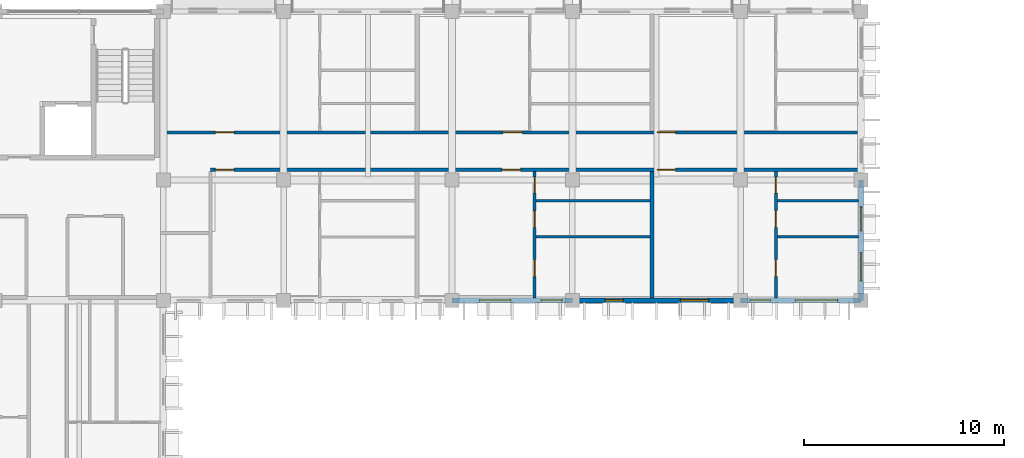
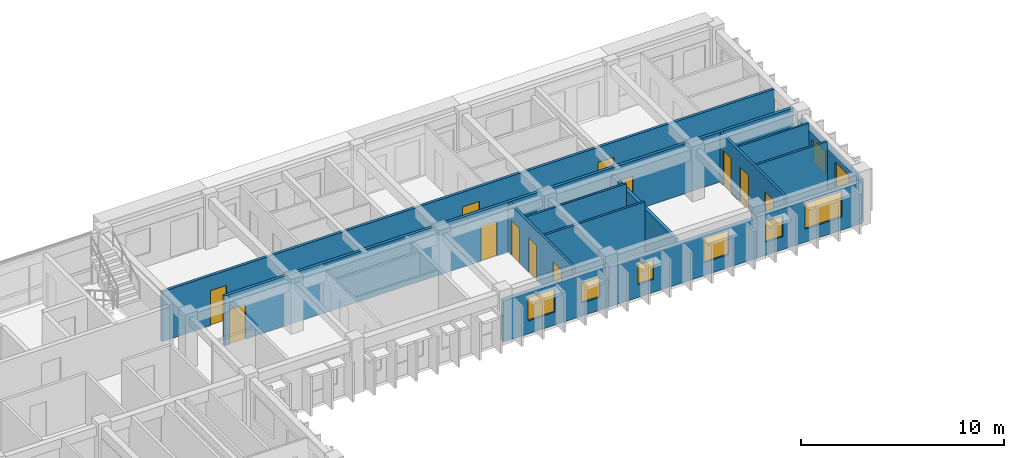
# One storey, part 52 of 101: 13 walls, 12 doors, 8 windows, 20 openings.
"""IFC4 building model written with IfcOpenShell, lengths in metres."""

from ifc_helpers import new_model, si_unit, direction, frame, frame_2d, origin, place, context, subcontext, project, spatial, rectangle, extrude, material, layer, layer_set, type_object, element, fill, save


model = new_model("IFC4")

# Units and contexts
model_context = context("Model", 3, precision=1e-05, world=origin(), true_north=direction((0.0, 1.0)))
body_context = subcontext(model_context, "Body", "Model", "MODEL_VIEW")
ifc_project = project(units=[si_unit("LENGTHUNIT", "METRE"), si_unit("AREAUNIT", "SQUARE_METRE"), si_unit("VOLUMEUNIT", "CUBIC_METRE"), si_unit("PLANEANGLEUNIT", "RADIAN"), si_unit("MASSUNIT", "GRAM", prefix="KILO"), si_unit("THERMODYNAMICTEMPERATUREUNIT", "KELVIN")], contexts=[model_context])

# Site, building, storey
site_placement = place(None, origin())
site = spatial("IfcSite", under=ifc_project, at=site_placement, CompositionType="ELEMENT")
building_placement = place(site_placement, origin())
building = spatial("IfcBuilding", under=site, at=building_placement, Name="Thalorik Housing Commons", CompositionType="ELEMENT")
storey_placement = place(building_placement, frame((0.0, 0.0, 8.10009765625)))
storey = spatial("IfcBuildingStorey", under=building, at=storey_placement, Name="L02", CompositionType="ELEMENT", Elevation=8.10009765625)

# Wall, openings, doors
ifc_material_1 = material(Name="Masonry fire-rated corridor wall", Category="masonry")
ifc_layer_1 = layer(ifc_material_1, 0.14990234375, Name="Masonry fire-rated corridor wall", Category="masonry")
ifc_layer_set_1 = layer_set([ifc_layer_1], Name="Masonry fire-rated corridor wall")
wall_type_1 = type_object("IfcWallType", Name="ARC-WAL-CORR-150", PredefinedType="PARTITIONING", material=ifc_layer_set_1)
wall_1_placement = place(storey_placement, frame((22.659912109375, 117.580078125, 0.0), z_axis=(0.0, 0.0, 1.0), x_axis=(1.0, 0.0, 0.0)))
wall_1 = element("IfcWall", 1, at=wall_1_placement, inside=storey, type_object=wall_type_1, Name="L02 Block A N Corridor Wall 2", PredefinedType="PARTITIONING", context=body_context, shape_type="SweptSolid", body=[
    extrude(rectangle(XDim=34.815673828125, YDim=0.14990234375, at=frame_2d((17.40771484375, 0.0))), origin(), (0.0, 0.0, 1.0), 3.0),
])
opening_1_placement = place(wall_1_placement, frame((2.739990234375, 0.0, 0.0)))
opening_1 = element("IfcOpeningElement", 2, at=opening_1_placement, cuts=wall_1, Name="Opening ID-0474", PredefinedType="OPENING", context=body_context, shape_type="SweptSolid", body=[
    extrude(rectangle(XDim=0.919921875, YDim=2.10009765625, at=frame_2d((0.4599609375, 1.050048828125))), frame((0.0, 0.0849609375, 0.0), z_axis=(0.0, -1.0, 0.0), x_axis=(1.0, 0.0, 0.0)), (0.0, 0.0, 1.0), 0.169921875),
])
opening_2_placement = place(wall_1_placement, frame((17.08544921875, 0.0, 0.0)))
opening_2 = element("IfcOpeningElement", 3, at=opening_2_placement, cuts=wall_1, Name="Opening ID-0475", PredefinedType="OPENING", context=body_context, shape_type="SweptSolid", body=[
    extrude(rectangle(XDim=0.9599609375, YDim=2.1201171875, at=frame_2d((0.47998046875, 1.06005859375))), frame((0.0, 0.0849609375, 0.0), z_axis=(0.0, -1.0, 0.0), x_axis=(1.0, 0.0, 0.0)), (0.0, 0.0, 1.0), 0.169921875),
])
opening_3_placement = place(wall_1_placement, frame((24.77001953125, 0.0, 0.0)))
opening_3 = element("IfcOpeningElement", 4, at=opening_3_placement, cuts=wall_1, Name="Opening ID-0476", PredefinedType="OPENING", context=body_context, shape_type="SweptSolid", body=[
    extrude(rectangle(XDim=0.919921875, YDim=2.10009765625, at=frame_2d((0.4599609375, 1.050048828125))), frame((0.0, 0.0849609375, 0.0), z_axis=(0.0, -1.0, 0.0), x_axis=(1.0, 0.0, 0.0)), (0.0, 0.0, 1.0), 0.169921875),
])
ifc_material_2 = material(Name="Solid core hardwood timber", Category="wood")
door_type_1 = type_object("IfcDoorType", Name="ARC-DR-FD30-920", OperationType="NOTDEFINED", PredefinedType="DOOR", material=ifc_material_2)
door_1_placement = place(opening_1_placement, origin())
door_1 = element("IfcDoor", 5, at=door_1_placement, inside=storey, type_object=door_type_1, Name="L02 Flat AN-1B Entrance Door", OperationType="SINGLE_SWING_LEFT", OverallHeight=2.10009765625, OverallWidth=0.919921875, PredefinedType="DOOR", context=body_context, shape_type="SweptSolid", body=[
    extrude(rectangle(XDim=0.919921875, YDim=2.10009765625, at=frame_2d((0.4599609375, 1.050048828125))), frame((0.0, 0.02490234375, 0.0), z_axis=(0.0, -1.0, 0.0), x_axis=(1.0, 0.0, 0.0)), (0.0, 0.0, 1.0), 0.050048828125),
])
fill(opening_1, door_1)
door_2_placement = place(opening_3_placement, origin())
door_2 = element("IfcDoor", 6, at=door_2_placement, inside=storey, type_object=door_type_1, Name="L02 Flat AN-3B Entrance Door", OperationType="SINGLE_SWING_LEFT", OverallHeight=2.10009765625, OverallWidth=0.919921875, PredefinedType="DOOR", context=body_context, shape_type="SweptSolid", body=[
    extrude(rectangle(XDim=0.919921875, YDim=2.10009765625, at=frame_2d((0.4599609375, 1.050048828125))), frame((0.0, 0.02490234375, 0.0), z_axis=(0.0, -1.0, 0.0), x_axis=(1.0, 0.0, 0.0)), (0.0, 0.0, 1.0), 0.050048828125),
])
fill(opening_3, door_2)
door_type_2 = type_object("IfcDoorType", Name="ARC-DR-FD30-960", OperationType="NOTDEFINED", PredefinedType="DOOR", material=ifc_material_2)
door_3_placement = place(opening_2_placement, origin())
door_3 = element("IfcDoor", 7, at=door_3_placement, inside=storey, type_object=door_type_2, Name="L02 Flat AN-2B Entrance Door", OperationType="SINGLE_SWING_RIGHT", OverallHeight=2.1201171875, OverallWidth=0.9599609375, PredefinedType="DOOR", context=body_context, shape_type="SweptSolid", body=[
    extrude(rectangle(XDim=0.9599609375, YDim=2.1201171875, at=frame_2d((0.47998046875, 1.06005859375))), frame((0.0, 0.02490234375, 0.0), z_axis=(0.0, -1.0, 0.0), x_axis=(1.0, 0.0, 0.0)), (0.0, 0.0, 1.0), 0.050048828125),
])
fill(opening_2, door_3)

ifc_layer_2 = layer(ifc_material_1, 0.1650390625, Name="Masonry fire-rated corridor wall", Category="masonry")
ifc_layer_set_2 = layer_set([ifc_layer_2], Name="Masonry fire-rated corridor wall")
wall_type_2 = type_object("IfcWallType", Name="ARC-WAL-CORR-165", PredefinedType="PARTITIONING", material=ifc_layer_set_2)
wall_2_placement = place(storey_placement, frame((25.14990234375, 115.719970703125, 0.0), z_axis=(0.0, 0.0, 1.0), x_axis=(1.0, 0.0, 0.0)))
wall_2 = element("IfcWall", 8, at=wall_2_placement, inside=storey, type_object=wall_type_2, Name="L02 Block A N Corridor Wall 1", PredefinedType="PARTITIONING", context=body_context, shape_type="SweptSolid", body=[
    extrude(rectangle(XDim=32.32568359375, YDim=0.1650390625, at=frame_2d((16.162841796875, 0.0))), origin(), (0.0, 0.0, 1.0), 3.0),
])
opening_4_placement = place(wall_2_placement, frame((0.25, 0.0, 0.0)))
opening_4 = element("IfcOpeningElement", 9, at=opening_4_placement, cuts=wall_2, Name="Opening ID-0471", PredefinedType="OPENING", context=body_context, shape_type="SweptSolid", body=[
    extrude(rectangle(XDim=0.919921875, YDim=2.10009765625, at=frame_2d((0.4599609375, 1.050048828125))), frame((0.0, 0.092529296875, 0.0), z_axis=(0.0, -1.0, 0.0), x_axis=(1.0, 0.0, 0.0)), (0.0, 0.0, 1.0), 0.18505859375),
])
opening_5_placement = place(wall_2_placement, frame((14.547607421875, 0.0, 0.0)))
opening_5 = element("IfcOpeningElement", 10, at=opening_5_placement, cuts=wall_2, Name="Opening ID-0472", PredefinedType="OPENING", context=body_context, shape_type="SweptSolid", body=[
    extrude(rectangle(XDim=0.919921875, YDim=2.10009765625, at=frame_2d((0.4599609375, 1.050048828125))), frame((0.0, 0.092529296875, 0.0), z_axis=(0.0, -1.0, 0.0), x_axis=(1.0, 0.0, 0.0)), (0.0, 0.0, 1.0), 0.18505859375),
])
opening_6_placement = place(wall_2_placement, frame((22.280029296875, 0.0, 0.0)))
opening_6 = element("IfcOpeningElement", 11, at=opening_6_placement, cuts=wall_2, Name="Opening ID-0473", PredefinedType="OPENING", context=body_context, shape_type="SweptSolid", body=[
    extrude(rectangle(XDim=0.919921875, YDim=2.10009765625, at=frame_2d((0.4599609375, 1.050048828125))), frame((0.0, 0.092529296875, 0.0), z_axis=(0.0, -1.0, 0.0), x_axis=(1.0, 0.0, 0.0)), (0.0, 0.0, 1.0), 0.18505859375),
])
door_4_placement = place(opening_4_placement, origin())
door_4 = element("IfcDoor", 12, at=door_4_placement, inside=storey, type_object=door_type_1, Name="L02 Flat AN-1A Entrance Door", OperationType="SINGLE_SWING_RIGHT", OverallHeight=2.10009765625, OverallWidth=0.919921875, PredefinedType="DOOR", context=body_context, shape_type="SweptSolid", body=[
    extrude(rectangle(XDim=0.919921875, YDim=2.10009765625, at=frame_2d((0.4599609375, 1.050048828125))), frame((0.0, 0.02490234375, 0.0), z_axis=(0.0, -1.0, 0.0), x_axis=(1.0, 0.0, 0.0)), (0.0, 0.0, 1.0), 0.050048828125),
])
fill(opening_4, door_4)
door_5_placement = place(opening_5_placement, origin())
door_5 = element("IfcDoor", 13, at=door_5_placement, inside=storey, type_object=door_type_1, Name="L02 Flat AN-2A Entrance Door", OperationType="SINGLE_SWING_LEFT", OverallHeight=2.10009765625, OverallWidth=0.919921875, PredefinedType="DOOR", context=body_context, shape_type="SweptSolid", body=[
    extrude(rectangle(XDim=0.919921875, YDim=2.10009765625, at=frame_2d((0.4599609375, 1.050048828125))), frame((0.0, 0.02490234375, 0.0), z_axis=(0.0, -1.0, 0.0), x_axis=(1.0, 0.0, 0.0)), (0.0, 0.0, 1.0), 0.050048828125),
])
fill(opening_5, door_5)
door_6_placement = place(opening_6_placement, origin())
door_6 = element("IfcDoor", 14, at=door_6_placement, inside=storey, type_object=door_type_1, Name="L02 Flat AN-3A Entrance Door", OperationType="SINGLE_SWING_RIGHT", OverallHeight=2.10009765625, OverallWidth=0.919921875, PredefinedType="DOOR", context=body_context, shape_type="SweptSolid", body=[
    extrude(rectangle(XDim=0.919921875, YDim=2.10009765625, at=frame_2d((0.4599609375, 1.050048828125))), frame((0.0, 0.02490234375, 0.0), z_axis=(0.0, -1.0, 0.0), x_axis=(1.0, 0.0, 0.0)), (0.0, 0.0, 1.0), 0.050048828125),
])
fill(opening_6, door_6)

# Wall, openings, windows
ifc_material_3 = material(Name="White precast concrete C40/50", Category="concrete")
ifc_layer_3 = layer(ifc_material_3, 0.2451171875, Name="White precast concrete C40/50", Category="concrete")
ifc_layer_set_3 = layer_set([ifc_layer_3], Name="White precast concrete C40/50")
wall_type_3 = type_object("IfcWallType", Name="ARC-WAL-EXT-245", PredefinedType="STANDARD", material=ifc_layer_set_3)
wall_3_placement = place(storey_placement, frame((37.199951171875, 109.199951171875, 0.0), z_axis=(0.0, 0.0, 1.0), x_axis=(1.0, 0.0, 0.0)))
wall_3 = element("IfcWall", 15, at=wall_3_placement, inside=storey, type_object=wall_type_3, Name="L02 Exterior Wall WAL-EXT-L02-A-0059", PredefinedType="STANDARD", context=body_context, shape_type="SweptSolid", body=[
    extrude(rectangle(XDim=6.0, YDim=0.2451171875, at=frame_2d((3.0, 0.0))), origin(), (0.0, 0.0, 1.0), 2.474853515625),
])
opening_7_placement = place(wall_3_placement, frame((1.3798828125, 0.0, 0.780029296875)))
opening_7 = element("IfcOpeningElement", 16, at=opening_7_placement, cuts=wall_3, Name="Opening W-12", PredefinedType="OPENING", context=body_context, shape_type="SweptSolid", body=[
    extrude(rectangle(XDim=1.550048828125, YDim=1.39990234375, at=frame_2d((0.77490234375, 0.699951171875))), frame((0.0, 0.132568359375, 0.0), z_axis=(0.0, -1.0, 0.0), x_axis=(1.0, 0.0, 0.0)), (0.0, 0.0, 1.0), 0.26513671875),
])
opening_8_placement = place(wall_3_placement, frame((4.43994140625, 0.0, 0.780029296875)))
opening_8 = element("IfcOpeningElement", 17, at=opening_8_placement, cuts=wall_3, Name="Opening W-44", PredefinedType="OPENING", context=body_context, shape_type="SweptSolid", body=[
    extrude(rectangle(XDim=1.050048828125, YDim=1.199951171875, at=frame_2d((0.52490234375, 0.60009765625))), frame((0.0, 0.132568359375, 0.0), z_axis=(0.0, -1.0, 0.0), x_axis=(1.0, 0.0, 0.0)), (0.0, 0.0, 1.0), 0.26513671875),
])
ifc_material_4 = material(Name="Anodised aluminium and solar-control low-E glass", Category="aluminium")
window_type_1 = type_object("IfcWindowType", Name="ARC-WIN-12", PartitioningType="SINGLE_PANEL", PredefinedType="WINDOW", material=ifc_material_4)
window_1_placement = place(opening_7_placement, origin())
window_1 = element("IfcWindow", 18, at=window_1_placement, inside=storey, type_object=window_type_1, Name="L02 Facade Window 101", OverallHeight=1.39990234375, OverallWidth=1.550048828125, PartitioningType="SINGLE_PANEL", PredefinedType="WINDOW", context=body_context, shape_type="SweptSolid", body=[
    extrude(rectangle(XDim=1.550048828125, YDim=1.39990234375, at=frame_2d((0.77490234375, 0.699951171875))), frame((0.0, 0.030029296875, 0.0), z_axis=(0.0, -1.0, 0.0), x_axis=(1.0, 0.0, 0.0)), (0.0, 0.0, 1.0), 0.06005859375),
])
fill(opening_7, window_1)
window_type_2 = type_object("IfcWindowType", Name="ARC-WIN-44", PartitioningType="SINGLE_PANEL", PredefinedType="WINDOW", material=ifc_material_4)
window_2_placement = place(opening_8_placement, origin())
window_2 = element("IfcWindow", 19, at=window_2_placement, inside=storey, type_object=window_type_2, Name="L02 Facade Window 102", OverallHeight=1.199951171875, OverallWidth=1.050048828125, PartitioningType="SINGLE_PANEL", PredefinedType="WINDOW", context=body_context, shape_type="SweptSolid", body=[
    extrude(rectangle(XDim=1.050048828125, YDim=1.199951171875, at=frame_2d((0.52490234375, 0.60009765625))), frame((0.0, 0.030029296875, 0.0), z_axis=(0.0, -1.0, 0.0), x_axis=(1.0, 0.0, 0.0)), (0.0, 0.0, 1.0), 0.06005859375),
])
fill(opening_8, window_2)

wall_4_placement = place(storey_placement, frame((43.199951171875, 109.199951171875, 0.0), z_axis=(0.0, 0.0, 1.0), x_axis=(1.0, 0.0, 0.0)))
wall_4 = element("IfcWall", 20, at=wall_4_placement, inside=storey, type_object=wall_type_3, Name="L02 Exterior Wall WAL-EXT-L02-A-0060", PredefinedType="STANDARD", context=body_context, shape_type="SweptSolid", body=[
    extrude(rectangle(XDim=8.400146484375, YDim=0.2451171875, at=frame_2d((4.2001953125, 0.0))), origin(), (0.0, 0.0, 1.0), 2.375),
])
opening_9_placement = place(wall_4_placement, frame((1.635009765625, 0.0, 0.780029296875)))
opening_9 = element("IfcOpeningElement", 21, at=opening_9_placement, cuts=wall_4, Name="Opening W-01", PredefinedType="OPENING", context=body_context, shape_type="SweptSolid", body=[
    extrude(rectangle(XDim=0.89990234375, YDim=1.199951171875, at=frame_2d((0.449951171875, 0.60009765625))), frame((0.0, 0.132568359375, 0.0), z_axis=(0.0, -1.0, 0.0), x_axis=(1.0, 0.0, 0.0)), (0.0, 0.0, 1.0), 0.26513671875),
])
opening_10_placement = place(wall_4_placement, frame((5.39501953125, 0.0, 0.780029296875)))
opening_10 = element("IfcOpeningElement", 22, at=opening_10_placement, cuts=wall_4, Name="Opening W-08", PredefinedType="OPENING", context=body_context, shape_type="SweptSolid", body=[
    extrude(rectangle(XDim=1.39990234375, YDim=1.449951171875, at=frame_2d((0.699951171875, 0.72509765625))), frame((0.0, 0.132568359375, 0.0), z_axis=(0.0, -1.0, 0.0), x_axis=(1.0, 0.0, 0.0)), (0.0, 0.0, 1.0), 0.26513671875),
])
window_type_3 = type_object("IfcWindowType", Name="ARC-WIN-01", PartitioningType="SINGLE_PANEL", PredefinedType="WINDOW", material=ifc_material_4)
window_3_placement = place(opening_9_placement, origin())
window_3 = element("IfcWindow", 23, at=window_3_placement, inside=storey, type_object=window_type_3, Name="L02 Facade Window 103", OverallHeight=1.199951171875, OverallWidth=0.89990234375, PartitioningType="SINGLE_PANEL", PredefinedType="WINDOW", context=body_context, shape_type="SweptSolid", body=[
    extrude(rectangle(XDim=0.89990234375, YDim=1.199951171875, at=frame_2d((0.449951171875, 0.60009765625))), frame((0.0, 0.030029296875, 0.0), z_axis=(0.0, -1.0, 0.0), x_axis=(1.0, 0.0, 0.0)), (0.0, 0.0, 1.0), 0.06005859375),
])
fill(opening_9, window_3)
window_type_4 = type_object("IfcWindowType", Name="ARC-WIN-08", PartitioningType="SINGLE_PANEL", PredefinedType="WINDOW", material=ifc_material_4)
window_4_placement = place(opening_10_placement, origin())
window_4 = element("IfcWindow", 24, at=window_4_placement, inside=storey, type_object=window_type_4, Name="L02 Facade Window 104", OverallHeight=1.449951171875, OverallWidth=1.39990234375, PartitioningType="SINGLE_PANEL", PredefinedType="WINDOW", context=body_context, shape_type="SweptSolid", body=[
    extrude(rectangle(XDim=1.39990234375, YDim=1.449951171875, at=frame_2d((0.699951171875, 0.72509765625))), frame((0.0, 0.030029296875, 0.0), z_axis=(0.0, -1.0, 0.0), x_axis=(1.0, 0.0, 0.0)), (0.0, 0.0, 1.0), 0.06005859375),
])
fill(opening_10, window_4)

wall_5_placement = place(storey_placement, frame((51.60009765625, 109.199951171875, 0.0), z_axis=(0.0, 0.0, 1.0), x_axis=(1.0, 0.0, 0.0)))
wall_5 = element("IfcWall", 25, at=wall_5_placement, inside=storey, type_object=wall_type_3, Name="L02 Exterior Wall WAL-EXT-L02-A-0061", PredefinedType="STANDARD", context=body_context, shape_type="SweptSolid", body=[
    extrude(rectangle(XDim=6.0, YDim=0.2451171875, at=frame_2d((3.0, 0.0))), origin(), (0.0, 0.0, 1.0), 2.474853515625),
])
opening_11_placement = place(wall_5_placement, frame((0.47509765625, 0.0, 0.780029296875)))
opening_11 = element("IfcOpeningElement", 26, at=opening_11_placement, cuts=wall_5, Name="Opening W-02", PredefinedType="OPENING", context=body_context, shape_type="SweptSolid", body=[
    extrude(rectangle(XDim=1.0, YDim=1.25, at=frame_2d((0.5, 0.625))), frame((0.0, 0.132568359375, 0.0), z_axis=(0.0, -1.0, 0.0), x_axis=(1.0, 0.0, 0.0)), (0.0, 0.0, 1.0), 0.26513671875),
])
opening_12_placement = place(wall_5_placement, frame((2.735107421875, 0.0, 0.780029296875)))
opening_12 = element("IfcOpeningElement", 27, at=opening_12_placement, cuts=wall_5, Name="Opening W-26", PredefinedType="OPENING", context=body_context, shape_type="SweptSolid", body=[
    extrude(rectangle(XDim=2.10009765625, YDim=1.550048828125, at=frame_2d((1.050048828125, 0.77490234375))), frame((0.0, 0.132568359375, 0.0), z_axis=(0.0, -1.0, 0.0), x_axis=(1.0, 0.0, 0.0)), (0.0, 0.0, 1.0), 0.26513671875),
])
window_type_5 = type_object("IfcWindowType", Name="ARC-WIN-02", PartitioningType="SINGLE_PANEL", PredefinedType="WINDOW", material=ifc_material_4)
window_5_placement = place(opening_11_placement, origin())
window_5 = element("IfcWindow", 28, at=window_5_placement, inside=storey, type_object=window_type_5, Name="L02 Facade Window 105", OverallHeight=1.25, OverallWidth=1.0, PartitioningType="SINGLE_PANEL", PredefinedType="WINDOW", context=body_context, shape_type="SweptSolid", body=[
    extrude(rectangle(XDim=1.0, YDim=1.25, at=frame_2d((0.5, 0.625))), frame((0.0, 0.030029296875, 0.0), z_axis=(0.0, -1.0, 0.0), x_axis=(1.0, 0.0, 0.0)), (0.0, 0.0, 1.0), 0.06005859375),
])
fill(opening_11, window_5)
window_type_6 = type_object("IfcWindowType", Name="ARC-WIN-26", PartitioningType="DOUBLE_PANEL_VERTICAL", PredefinedType="WINDOW", material=ifc_material_4)
window_6_placement = place(opening_12_placement, origin())
window_6 = element("IfcWindow", 29, at=window_6_placement, inside=storey, type_object=window_type_6, Name="L02 Facade Window 106", OverallHeight=1.550048828125, OverallWidth=2.10009765625, PartitioningType="DOUBLE_PANEL_VERTICAL", PredefinedType="WINDOW", context=body_context, shape_type="SweptSolid", body=[
    extrude(rectangle(XDim=2.10009765625, YDim=1.550048828125, at=frame_2d((1.050048828125, 0.77490234375))), frame((0.0, 0.030029296875, 0.0), z_axis=(0.0, -1.0, 0.0), x_axis=(1.0, 0.0, 0.0)), (0.0, 0.0, 1.0), 0.06005859375),
])
fill(opening_12, window_6)

wall_6_placement = place(storey_placement, frame((57.60009765625, 109.199951171875, 0.0), z_axis=(0.0, 0.0, 1.0), x_axis=(0.0, 1.0, 0.0)))
wall_6 = element("IfcWall", 30, at=wall_6_placement, inside=storey, type_object=wall_type_3, Name="L02 Exterior Wall WAL-EXT-L02-A-0062", PredefinedType="STANDARD", context=body_context, shape_type="SweptSolid", body=[
    extrude(rectangle(XDim=6.0, YDim=0.2451171875, at=frame_2d((3.0, 0.0))), origin(), (0.0, 0.0, 1.0), 2.574951171875),
])
opening_13_placement = place(wall_6_placement, frame((0.975341796875, 0.0, 0.780029296875)))
opening_13 = element("IfcOpeningElement", 31, at=opening_13_placement, cuts=wall_6, Name="Opening W-08", PredefinedType="OPENING", context=body_context, shape_type="SweptSolid", body=[
    extrude(rectangle(XDim=1.39990234375, YDim=1.449951171875, at=frame_2d((0.699951171875, 0.72509765625))), frame((0.0, 0.132568359375, 0.0), z_axis=(0.0, -1.0, 0.0), x_axis=(1.0, 0.0, 0.0)), (0.0, 0.0, 1.0), 0.26513671875),
])
opening_14_placement = place(wall_6_placement, frame((3.465087890625, 0.0, 0.780029296875)))
opening_14 = element("IfcOpeningElement", 32, at=opening_14_placement, cuts=wall_6, Name="Opening W-04", PredefinedType="OPENING", context=body_context, shape_type="SweptSolid", body=[
    extrude(rectangle(XDim=1.199951171875, YDim=1.35009765625, at=frame_2d((0.60009765625, 0.675048828125))), frame((0.0, 0.132568359375, 0.0), z_axis=(0.0, -1.0, 0.0), x_axis=(1.0, 0.0, 0.0)), (0.0, 0.0, 1.0), 0.26513671875),
])
window_type_7 = type_object("IfcWindowType", Name="ARC-WIN-04", PartitioningType="SINGLE_PANEL", PredefinedType="WINDOW", material=ifc_material_4)
window_7_placement = place(opening_14_placement, origin())
window_7 = element("IfcWindow", 33, at=window_7_placement, inside=storey, type_object=window_type_7, Name="L02 Facade Window 108", OverallHeight=1.35009765625, OverallWidth=1.199951171875, PartitioningType="SINGLE_PANEL", PredefinedType="WINDOW", context=body_context, shape_type="SweptSolid", body=[
    extrude(rectangle(XDim=1.199951171875, YDim=1.35009765625, at=frame_2d((0.60009765625, 0.675048828125))), frame((0.0, 0.030029296875, 0.0), z_axis=(0.0, -1.0, 0.0), x_axis=(1.0, 0.0, 0.0)), (0.0, 0.0, 1.0), 0.06005859375),
])
fill(opening_14, window_7)
window_8_placement = place(opening_13_placement, origin())
window_8 = element("IfcWindow", 34, at=window_8_placement, inside=storey, type_object=window_type_4, Name="L02 Facade Window 107", OverallHeight=1.449951171875, OverallWidth=1.39990234375, PartitioningType="SINGLE_PANEL", PredefinedType="WINDOW", context=body_context, shape_type="SweptSolid", body=[
    extrude(rectangle(XDim=1.39990234375, YDim=1.449951171875, at=frame_2d((0.699951171875, 0.72509765625))), frame((0.0, 0.030029296875, 0.0), z_axis=(0.0, -1.0, 0.0), x_axis=(1.0, 0.0, 0.0)), (0.0, 0.0, 1.0), 0.06005859375),
])
fill(opening_13, window_8)

# Walls
ifc_material_5 = material(Name="Gypsum moisture-resistant partition", Category="masonry")
ifc_layer_4 = layer(ifc_material_5, 0.114990234375, Name="Gypsum moisture-resistant partition", Category="masonry")
ifc_layer_set_4 = layer_set([ifc_layer_4], Name="Gypsum moisture-resistant partition")
wall_type_4 = type_object("IfcWallType", Name="ARC-WAL-PART-115", PredefinedType="PARTITIONING", material=ifc_layer_set_4)
wall_7_placement = place(storey_placement, frame((41.39208984375, 114.169677734375, 0.0), z_axis=(0.0, 0.0, 1.0), x_axis=(1.0, 0.0, 0.0)))
element("IfcWall", 35, at=wall_7_placement, inside=storey, type_object=wall_type_4, Name="L02 Unit 2 Wet Wall", PredefinedType="PARTITIONING", context=body_context, shape_type="SweptSolid", body=[
    extrude(rectangle(XDim=5.693359375, YDim=0.114990234375, at=frame_2d((2.8466796875, 0.0))), origin(), (0.0, 0.0, 1.0), 3.0),
])
wall_8_placement = place(storey_placement, frame((53.431884765625, 114.169677734375, 0.0), z_axis=(0.0, 0.0, 1.0), x_axis=(1.0, 0.0, 0.0)))
element("IfcWall", 36, at=wall_8_placement, inside=storey, type_object=wall_type_4, Name="L02 Unit 3 Wet Wall", PredefinedType="PARTITIONING", context=body_context, shape_type="SweptSolid", body=[
    extrude(rectangle(XDim=4.043701171875, YDim=0.114990234375, at=frame_2d((2.02197265625, 0.0))), origin(), (0.0, 0.0, 1.0), 3.0),
])
ifc_material_6 = material(Name="Gypsum acoustic stud partition", Category="masonry")
ifc_layer_5 = layer(ifc_material_6, 0.125, Name="Gypsum acoustic stud partition", Category="masonry")
ifc_layer_set_5 = layer_set([ifc_layer_5], Name="Gypsum acoustic stud partition")
wall_type_5 = type_object("IfcWallType", Name="ARC-WAL-PART-125", PredefinedType="PARTITIONING", material=ifc_layer_set_5)
wall_9_placement = place(storey_placement, frame((41.39208984375, 112.36083984375, 0.0), z_axis=(0.0, 0.0, 1.0), x_axis=(1.0, 0.0, 0.0)))
element("IfcWall", 37, at=wall_9_placement, inside=storey, type_object=wall_type_5, Name="L02 Unit 2 Bedroom Partition", PredefinedType="PARTITIONING", context=body_context, shape_type="SweptSolid", body=[
    extrude(rectangle(XDim=5.693359375, YDim=0.125, at=frame_2d((2.8466796875, 0.0))), origin(), (0.0, 0.0, 1.0), 3.0),
])
wall_10_placement = place(storey_placement, frame((53.431884765625, 112.36083984375, 0.0), z_axis=(0.0, 0.0, 1.0), x_axis=(1.0, 0.0, 0.0)))
element("IfcWall", 38, at=wall_10_placement, inside=storey, type_object=wall_type_5, Name="L02 Unit 3 Bedroom Partition", PredefinedType="PARTITIONING", context=body_context, shape_type="SweptSolid", body=[
    extrude(rectangle(XDim=4.043701171875, YDim=0.125, at=frame_2d((2.02197265625, 0.0))), origin(), (0.0, 0.0, 1.0), 3.0),
])

# Wall, openings, doors
ifc_material_7 = material(Name="Ceramic masonry partition wall", Category="masonry")
ifc_layer_6 = layer(ifc_material_7, 0.139892578125, Name="Ceramic masonry partition wall", Category="masonry")
ifc_layer_set_6 = layer_set([ifc_layer_6], Name="Ceramic masonry partition wall")
wall_type_6 = type_object("IfcWallType", Name="ARC-WAL-PART-140", PredefinedType="PARTITIONING", material=ifc_layer_set_6)
wall_11_placement = place(storey_placement, frame((41.320068359375, 109.324462890625, 0.0), z_axis=(0.0, 0.0, 1.0), x_axis=(0.0, 1.0, 0.0)))
wall_11 = element("IfcWall", 39, at=wall_11_placement, inside=storey, type_object=wall_type_6, Name="L02 Unit 2 Spine Partition", PredefinedType="PARTITIONING", context=body_context, shape_type="SweptSolid", body=[
    extrude(rectangle(XDim=6.31103515625, YDim=0.139892578125, at=frame_2d((3.155517578125, 0.0))), origin(), (0.0, 0.0, 1.0), 3.0),
])
opening_15_placement = place(wall_11_placement, frame((1.060791015625, 0.0, 0.0)))
opening_15 = element("IfcOpeningElement", 40, at=opening_15_placement, cuts=wall_11, Name="Opening ID-0459", PredefinedType="OPENING", context=body_context, shape_type="SweptSolid", body=[
    extrude(rectangle(XDim=0.85009765625, YDim=2.10009765625, at=frame_2d((0.425048828125, 1.050048828125))), frame((0.0, 0.080078125, 0.0), z_axis=(0.0, -1.0, 0.0), x_axis=(1.0, 0.0, 0.0)), (0.0, 0.0, 1.0), 0.159912109375),
])
opening_16_placement = place(wall_11_placement, frame((3.515625, 0.0, 0.0)))
opening_16 = element("IfcOpeningElement", 41, at=opening_16_placement, cuts=wall_11, Name="Opening ID-0460", PredefinedType="OPENING", context=body_context, shape_type="SweptSolid", body=[
    extrude(rectangle(XDim=0.820068359375, YDim=2.080078125, at=frame_2d((0.41015625, 1.0400390625))), frame((0.0, 0.080078125, 0.0), z_axis=(0.0, -1.0, 0.0), x_axis=(1.0, 0.0, 0.0)), (0.0, 0.0, 1.0), 0.159912109375),
])
opening_17_placement = place(wall_11_placement, frame((5.22021484375, 0.0, 0.0)))
opening_17 = element("IfcOpeningElement", 42, at=opening_17_placement, cuts=wall_11, Name="Opening ID-0461", PredefinedType="OPENING", context=body_context, shape_type="SweptSolid", body=[
    extrude(rectangle(XDim=0.800048828125, YDim=2.10009765625, at=frame_2d((0.39990234375, 1.050048828125))), frame((0.0, 0.080078125, 0.0), z_axis=(0.0, -1.0, 0.0), x_axis=(1.0, 0.0, 0.0)), (0.0, 0.0, 1.0), 0.159912109375),
])
ifc_material_8 = material(Name="Moisture-resistant timber", Category="wood")
door_type_3 = type_object("IfcDoorType", Name="ARC-DR-INT-800", OperationType="NOTDEFINED", PredefinedType="DOOR", material=ifc_material_8)
door_7_placement = place(opening_17_placement, origin())
door_7 = element("IfcDoor", 43, at=door_7_placement, inside=storey, type_object=door_type_3, Name="L02 Flat Bathroom Door", OperationType="SINGLE_SWING_RIGHT", OverallHeight=2.10009765625, OverallWidth=0.800048828125, PredefinedType="DOOR", context=body_context, shape_type="SweptSolid", body=[
    extrude(rectangle(XDim=0.800048828125, YDim=2.10009765625, at=frame_2d((0.39990234375, 1.050048828125))), frame((0.0, 0.02490234375, 0.0), z_axis=(0.0, -1.0, 0.0), x_axis=(1.0, 0.0, 0.0)), (0.0, 0.0, 1.0), 0.050048828125),
])
fill(opening_17, door_7)
ifc_material_9 = material(Name="Engineered oak timber", Category="wood")
door_type_4 = type_object("IfcDoorType", Name="ARC-DR-INT-820", OperationType="NOTDEFINED", PredefinedType="DOOR", material=ifc_material_9)
door_8_placement = place(opening_16_placement, origin())
door_8 = element("IfcDoor", 44, at=door_8_placement, inside=storey, type_object=door_type_4, Name="L02 Galley Kitchen Door", OperationType="SINGLE_SWING_LEFT", OverallHeight=2.080078125, OverallWidth=0.820068359375, PredefinedType="DOOR", context=body_context, shape_type="SweptSolid", body=[
    extrude(rectangle(XDim=0.820068359375, YDim=2.080078125, at=frame_2d((0.41015625, 1.0400390625))), frame((0.0, 0.02490234375, 0.0), z_axis=(0.0, -1.0, 0.0), x_axis=(1.0, 0.0, 0.0)), (0.0, 0.0, 1.0), 0.050048828125),
])
fill(opening_16, door_8)
door_type_5 = type_object("IfcDoorType", Name="ARC-DR-INT-850", OperationType="NOTDEFINED", PredefinedType="DOOR", material=ifc_material_9)
door_9_placement = place(opening_15_placement, origin())
door_9 = element("IfcDoor", 45, at=door_9_placement, inside=storey, type_object=door_type_5, Name="L02 Single Bedroom Door", OperationType="SINGLE_SWING_RIGHT", OverallHeight=2.10009765625, OverallWidth=0.85009765625, PredefinedType="DOOR", context=body_context, shape_type="SweptSolid", body=[
    extrude(rectangle(XDim=0.85009765625, YDim=2.10009765625, at=frame_2d((0.425048828125, 1.050048828125))), frame((0.0, 0.02490234375, 0.0), z_axis=(0.0, -1.0, 0.0), x_axis=(1.0, 0.0, 0.0)), (0.0, 0.0, 1.0), 0.050048828125),
])
fill(opening_15, door_9)

wall_12_placement = place(storey_placement, frame((53.360107421875, 109.324462890625, 0.0), z_axis=(0.0, 0.0, 1.0), x_axis=(0.0, 1.0, 0.0)))
wall_12 = element("IfcWall", 46, at=wall_12_placement, inside=storey, type_object=wall_type_6, Name="L02 Unit 3 Spine Partition", PredefinedType="PARTITIONING", context=body_context, shape_type="SweptSolid", body=[
    extrude(rectangle(XDim=6.31103515625, YDim=0.139892578125, at=frame_2d((3.155517578125, 0.0))), origin(), (0.0, 0.0, 1.0), 3.0),
])
opening_18_placement = place(wall_12_placement, frame((1.060791015625, 0.0, 0.0)))
opening_18 = element("IfcOpeningElement", 47, at=opening_18_placement, cuts=wall_12, Name="Opening ID-0465", PredefinedType="OPENING", context=body_context, shape_type="SweptSolid", body=[
    extrude(rectangle(XDim=0.85009765625, YDim=2.10009765625, at=frame_2d((0.425048828125, 1.050048828125))), frame((0.0, 0.080078125, 0.0), z_axis=(0.0, -1.0, 0.0), x_axis=(1.0, 0.0, 0.0)), (0.0, 0.0, 1.0), 0.159912109375),
])
opening_19_placement = place(wall_12_placement, frame((3.515625, 0.0, 0.0)))
opening_19 = element("IfcOpeningElement", 48, at=opening_19_placement, cuts=wall_12, Name="Opening ID-0466", PredefinedType="OPENING", context=body_context, shape_type="SweptSolid", body=[
    extrude(rectangle(XDim=0.85009765625, YDim=2.10009765625, at=frame_2d((0.425048828125, 1.050048828125))), frame((0.0, 0.080078125, 0.0), z_axis=(0.0, -1.0, 0.0), x_axis=(1.0, 0.0, 0.0)), (0.0, 0.0, 1.0), 0.159912109375),
])
opening_20_placement = place(wall_12_placement, frame((5.22021484375, 0.0, 0.0)))
opening_20 = element("IfcOpeningElement", 49, at=opening_20_placement, cuts=wall_12, Name="Opening ID-0467", PredefinedType="OPENING", context=body_context, shape_type="SweptSolid", body=[
    extrude(rectangle(XDim=0.800048828125, YDim=2.10009765625, at=frame_2d((0.39990234375, 1.050048828125))), frame((0.0, 0.080078125, 0.0), z_axis=(0.0, -1.0, 0.0), x_axis=(1.0, 0.0, 0.0)), (0.0, 0.0, 1.0), 0.159912109375),
])
door_10_placement = place(opening_20_placement, origin())
door_10 = element("IfcDoor", 50, at=door_10_placement, inside=storey, type_object=door_type_3, Name="L02 Accessible Bathroom Door", OperationType="SINGLE_SWING_RIGHT", OverallHeight=2.10009765625, OverallWidth=0.800048828125, PredefinedType="DOOR", context=body_context, shape_type="SweptSolid", body=[
    extrude(rectangle(XDim=0.800048828125, YDim=2.10009765625, at=frame_2d((0.39990234375, 1.050048828125))), frame((0.0, 0.02490234375, 0.0), z_axis=(0.0, -1.0, 0.0), x_axis=(1.0, 0.0, 0.0)), (0.0, 0.0, 1.0), 0.050048828125),
])
fill(opening_20, door_10)
door_11_placement = place(opening_18_placement, origin())
door_11 = element("IfcDoor", 51, at=door_11_placement, inside=storey, type_object=door_type_5, Name="L02 Double Bedroom Door", OperationType="SINGLE_SWING_RIGHT", OverallHeight=2.10009765625, OverallWidth=0.85009765625, PredefinedType="DOOR", context=body_context, shape_type="SweptSolid", body=[
    extrude(rectangle(XDim=0.85009765625, YDim=2.10009765625, at=frame_2d((0.425048828125, 1.050048828125))), frame((0.0, 0.02490234375, 0.0), z_axis=(0.0, -1.0, 0.0), x_axis=(1.0, 0.0, 0.0)), (0.0, 0.0, 1.0), 0.050048828125),
])
fill(opening_18, door_11)
door_12_placement = place(opening_19_placement, origin())
door_12 = element("IfcDoor", 52, at=door_12_placement, inside=storey, type_object=door_type_5, Name="L02 Galley Kitchen Door", OperationType="SINGLE_SWING_LEFT", OverallHeight=2.10009765625, OverallWidth=0.85009765625, PredefinedType="DOOR", context=body_context, shape_type="SweptSolid", body=[
    extrude(rectangle(XDim=0.85009765625, YDim=2.10009765625, at=frame_2d((0.425048828125, 1.050048828125))), frame((0.0, 0.02490234375, 0.0), z_axis=(0.0, -1.0, 0.0), x_axis=(1.0, 0.0, 0.0)), (0.0, 0.0, 1.0), 0.050048828125),
])
fill(opening_19, door_12)

# Wall
ifc_material_10 = material(Name="Masonry acoustic blockwork wall", Category="masonry")
ifc_layer_7 = layer(ifc_material_10, 0.18505859375, Name="Masonry acoustic blockwork wall", Category="masonry")
ifc_layer_set_7 = layer_set([ifc_layer_7], Name="Masonry acoustic blockwork wall")
wall_type_7 = type_object("IfcWallType", Name="ARC-WAL-PARTY-185", PredefinedType="PARTITIONING", material=ifc_layer_set_7)
wall_13_placement = place(storey_placement, frame((47.179931640625, 109.324462890625, 0.0), z_axis=(0.0, 0.0, 1.0), x_axis=(0.0, 1.0, 0.0)))
element("IfcWall", 53, at=wall_13_placement, inside=storey, type_object=wall_type_7, Name="L02 Inter-Tenancy Wall 2A", PredefinedType="PARTITIONING", context=body_context, shape_type="SweptSolid", body=[
    extrude(rectangle(XDim=6.31103515625, YDim=0.18505859375, at=frame_2d((3.155517578125, 0.0))), origin(), (0.0, 0.0, 1.0), 2.5849609375),
])

save(model, "model.ifc")
